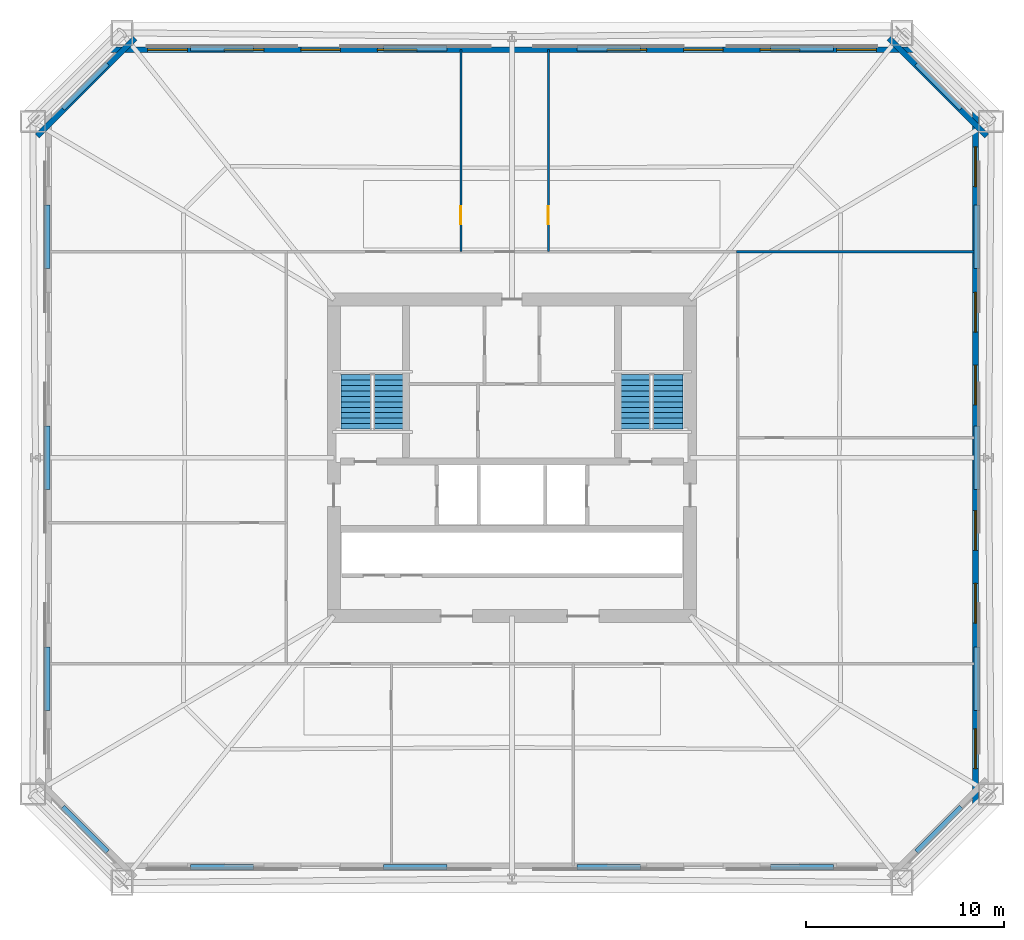
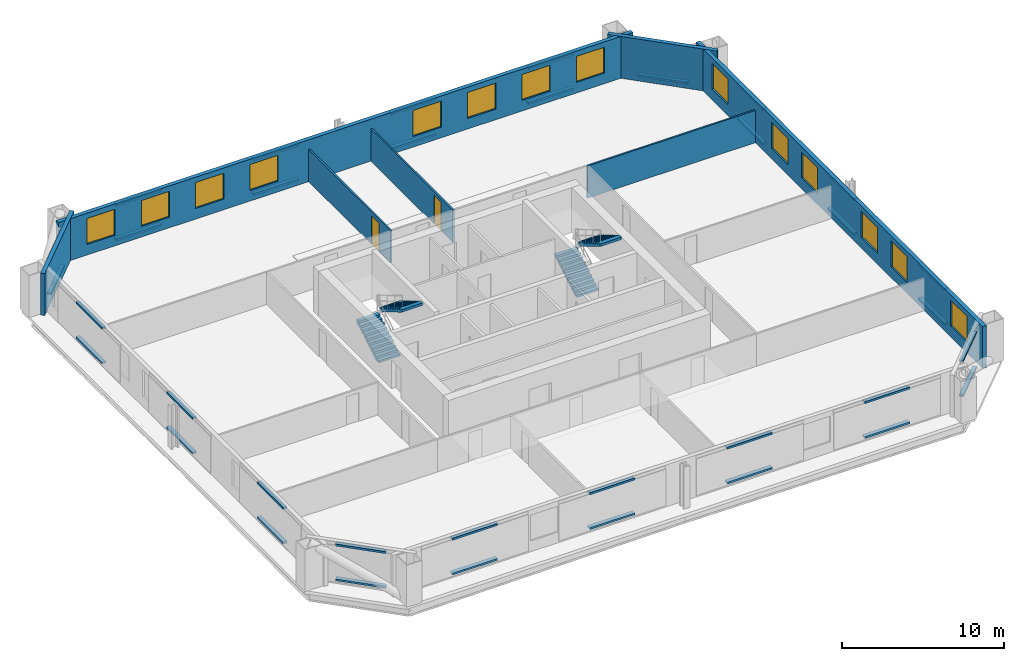
# One storey, part 4 of 7: 35 discrete accessories, 14 windows, 7 walls, 4 stair flights, 2 doors, 16 openings, 2 elements without a shape of their own.
"""IFC4 building model written with IfcOpenShell, lengths in metres."""

from ifc_helpers import new_model, si_unit, direction, frame, frame_2d, origin, origin_2d, place, context, subcontext, project, spatial, polyline, rectangle, outline, extrude, material, layer, layer_set, type_object, element, fill, aggregate, save


model = new_model("IFC4")

# Units and contexts
model_context = context("Model", 3, precision=1e-05, world=origin(), true_north=direction((0.0, 1.0)))
body_context = subcontext(model_context, "Body", "Model", "MODEL_VIEW")
ifc_project = project(units=[si_unit("LENGTHUNIT", "METRE"), si_unit("AREAUNIT", "SQUARE_METRE"), si_unit("VOLUMEUNIT", "CUBIC_METRE"), si_unit("PLANEANGLEUNIT", "RADIAN"), si_unit("MASSUNIT", "GRAM", prefix="KILO")], contexts=[model_context])

# Site, building, storey
site_placement = place(None, origin())
site = spatial("IfcSite", under=ifc_project, at=site_placement, CompositionType="ELEMENT")
building_placement = place(site_placement, origin())
building = spatial("IfcBuilding", under=site, at=building_placement, Name="Caelvoria Tower", CompositionType="ELEMENT")
storey_placement = place(building_placement, frame((0.0, 0.0, 31.60009765625)))
storey = spatial("IfcBuildingStorey", under=building, at=storey_placement, Name="L07", CompositionType="ELEMENT", Elevation=31.60009765625)

# Wall, openings, windows
ifc_material_1 = material(Name="Precast Concrete C40/50 with Bronze Cladding", Category="concrete")
ifc_layer_1 = layer(ifc_material_1, 0.280029296875, Name="Precast Concrete C40/50 with Bronze Cladding")
ifc_layer_set_1 = layer_set([ifc_layer_1], Name="Exterior Precast Concrete C40/50 Bronze-Clad Facade Wall 280 - Precast Concrete C40/50 with Bronze Cladding")
wall_type_1 = type_object("IfcWallType", Name="Exterior Precast Concrete C40/50 Bronze-Clad Facade Wall 280", PredefinedType="STANDARD", material=ifc_layer_set_1)
wall_1_placement = place(storey_placement, frame((69.419921875, 14.360107421875, 0.0), z_axis=(0.0, 0.0, 1.0), x_axis=(0.0, 1.0, 0.0)))
wall_1 = element("IfcWall", 1, at=wall_1_placement, inside=storey, type_object=wall_type_1, Name="Exterior Facade Wall L07-E2", PredefinedType="STANDARD", context=body_context, shape_type="SweptSolid", body=[
    extrude(rectangle(XDim=35.27978515625, YDim=0.280029296875, at=frame_2d((17.639892578125, 0.0))), origin(), (0.0, 0.0, 1.0), 3.14990234375),
])
opening_1_placement = place(wall_1_placement, frame((1.937744140625, 0.0, 0.800048828125)))
opening_1 = element("IfcOpeningElement", 2, at=opening_1_placement, cuts=wall_1, Name="Opening WN-01", PredefinedType="OPENING", context=body_context, shape_type="SweptSolid", body=[
    extrude(rectangle(XDim=2.0, YDim=1.949951171875, at=frame_2d((1.0, 0.97509765625))), frame((0.0, 0.14990234375, 0.0), z_axis=(0.0, -1.0, 0.0), x_axis=(1.0, 0.0, 0.0)), (0.0, 0.0, 1.0), 0.300048828125),
])
opening_2_placement = place(wall_1_placement, frame((9.288818359375, 0.0, 0.800048828125)))
opening_2 = element("IfcOpeningElement", 3, at=opening_2_placement, cuts=wall_1, Name="Opening WN-01", PredefinedType="OPENING", context=body_context, shape_type="SweptSolid", body=[
    extrude(rectangle(XDim=2.0, YDim=1.949951171875, at=frame_2d((1.0, 0.97509765625))), frame((0.0, 0.14990234375, 0.0), z_axis=(0.0, -1.0, 0.0), x_axis=(1.0, 0.0, 0.0)), (0.0, 0.0, 1.0), 0.300048828125),
])
opening_3_placement = place(wall_1_placement, frame((12.96435546875, 0.0, 0.800048828125)))
opening_3 = element("IfcOpeningElement", 4, at=opening_3_placement, cuts=wall_1, Name="Opening WN-01", PredefinedType="OPENING", context=body_context, shape_type="SweptSolid", body=[
    extrude(rectangle(XDim=2.0, YDim=1.949951171875, at=frame_2d((1.0, 0.97509765625))), frame((0.0, 0.14990234375, 0.0), z_axis=(0.0, -1.0, 0.0), x_axis=(1.0, 0.0, 0.0)), (0.0, 0.0, 1.0), 0.300048828125),
])
opening_4_placement = place(wall_1_placement, frame((20.315673828125, 0.0, 0.800048828125)))
opening_4 = element("IfcOpeningElement", 5, at=opening_4_placement, cuts=wall_1, Name="Opening WN-01", PredefinedType="OPENING", context=body_context, shape_type="SweptSolid", body=[
    extrude(rectangle(XDim=2.0, YDim=1.949951171875, at=frame_2d((1.0, 0.97509765625))), frame((0.0, 0.14990234375, 0.0), z_axis=(0.0, -1.0, 0.0), x_axis=(1.0, 0.0, 0.0)), (0.0, 0.0, 1.0), 0.300048828125),
])
opening_5_placement = place(wall_1_placement, frame((23.9912109375, 0.0, 0.800048828125)))
opening_5 = element("IfcOpeningElement", 6, at=opening_5_placement, cuts=wall_1, Name="Opening WN-01", PredefinedType="OPENING", context=body_context, shape_type="SweptSolid", body=[
    extrude(rectangle(XDim=2.0, YDim=1.949951171875, at=frame_2d((1.0, 0.97509765625))), frame((0.0, 0.14990234375, 0.0), z_axis=(0.0, -1.0, 0.0), x_axis=(1.0, 0.0, 0.0)), (0.0, 0.0, 1.0), 0.300048828125),
])
opening_6_placement = place(wall_1_placement, frame((31.34228515625, 0.0, 0.800048828125)))
opening_6 = element("IfcOpeningElement", 7, at=opening_6_placement, cuts=wall_1, Name="Opening WN-01", PredefinedType="OPENING", context=body_context, shape_type="SweptSolid", body=[
    extrude(rectangle(XDim=2.0, YDim=1.949951171875, at=frame_2d((1.0, 0.97509765625))), frame((0.0, 0.14990234375, 0.0), z_axis=(0.0, -1.0, 0.0), x_axis=(1.0, 0.0, 0.0)), (0.0, 0.0, 1.0), 0.300048828125),
])
ifc_material_2 = material(Name="Low-E Tinted Glass in Bronze Aluminium Frame", Category="aluminium")
window_type = type_object("IfcWindowType", Name="Tower Office Vision Window 2000x1950", PartitioningType="SINGLE_PANEL", PredefinedType="WINDOW", material=ifc_material_2)
window_1_placement = place(opening_1_placement, origin())
window_1 = element("IfcWindow", 8, at=window_1_placement, inside=storey, type_object=window_type, Name="Facade Window L07-E2-00", OverallHeight=1.949951171875, OverallWidth=2.0, PartitioningType="SINGLE_PANEL", PredefinedType="WINDOW", context=body_context, shape_type="SweptSolid", body=[
    extrude(rectangle(XDim=2.0, YDim=1.949951171875, at=frame_2d((1.0, 0.97509765625))), frame((0.0, 0.030029296875, 0.0), z_axis=(0.0, -1.0, 0.0), x_axis=(1.0, 0.0, 0.0)), (0.0, 0.0, 1.0), 0.06005859375),
])
fill(opening_1, window_1)
window_2_placement = place(opening_2_placement, origin())
window_2 = element("IfcWindow", 9, at=window_2_placement, inside=storey, type_object=window_type, Name="Facade Window L07-E2-02", OverallHeight=1.949951171875, OverallWidth=2.0, PartitioningType="SINGLE_PANEL", PredefinedType="WINDOW", context=body_context, shape_type="SweptSolid", body=[
    extrude(rectangle(XDim=2.0, YDim=1.949951171875, at=frame_2d((1.0, 0.97509765625))), frame((0.0, 0.030029296875, 0.0), z_axis=(0.0, -1.0, 0.0), x_axis=(1.0, 0.0, 0.0)), (0.0, 0.0, 1.0), 0.06005859375),
])
fill(opening_2, window_2)
window_3_placement = place(opening_3_placement, origin())
window_3 = element("IfcWindow", 10, at=window_3_placement, inside=storey, type_object=window_type, Name="Facade Window L07-E2-03", OverallHeight=1.949951171875, OverallWidth=2.0, PartitioningType="SINGLE_PANEL", PredefinedType="WINDOW", context=body_context, shape_type="SweptSolid", body=[
    extrude(rectangle(XDim=2.0, YDim=1.949951171875, at=frame_2d((1.0, 0.97509765625))), frame((0.0, 0.030029296875, 0.0), z_axis=(0.0, -1.0, 0.0), x_axis=(1.0, 0.0, 0.0)), (0.0, 0.0, 1.0), 0.06005859375),
])
fill(opening_3, window_3)
window_4_placement = place(opening_4_placement, origin())
window_4 = element("IfcWindow", 11, at=window_4_placement, inside=storey, type_object=window_type, Name="Facade Window L07-E2-05", OverallHeight=1.949951171875, OverallWidth=2.0, PartitioningType="SINGLE_PANEL", PredefinedType="WINDOW", context=body_context, shape_type="SweptSolid", body=[
    extrude(rectangle(XDim=2.0, YDim=1.949951171875, at=frame_2d((1.0, 0.97509765625))), frame((0.0, 0.030029296875, 0.0), z_axis=(0.0, -1.0, 0.0), x_axis=(1.0, 0.0, 0.0)), (0.0, 0.0, 1.0), 0.06005859375),
])
fill(opening_4, window_4)
window_5_placement = place(opening_5_placement, origin())
window_5 = element("IfcWindow", 12, at=window_5_placement, inside=storey, type_object=window_type, Name="Facade Window L07-E2-06", OverallHeight=1.949951171875, OverallWidth=2.0, PartitioningType="SINGLE_PANEL", PredefinedType="WINDOW", context=body_context, shape_type="SweptSolid", body=[
    extrude(rectangle(XDim=2.0, YDim=1.949951171875, at=frame_2d((1.0, 0.97509765625))), frame((0.0, 0.030029296875, 0.0), z_axis=(0.0, -1.0, 0.0), x_axis=(1.0, 0.0, 0.0)), (0.0, 0.0, 1.0), 0.06005859375),
])
fill(opening_5, window_5)
window_6_placement = place(opening_6_placement, origin())
window_6 = element("IfcWindow", 13, at=window_6_placement, inside=storey, type_object=window_type, Name="Facade Window L07-E2-08", OverallHeight=1.949951171875, OverallWidth=2.0, PartitioningType="SINGLE_PANEL", PredefinedType="WINDOW", context=body_context, shape_type="SweptSolid", body=[
    extrude(rectangle(XDim=2.0, YDim=1.949951171875, at=frame_2d((1.0, 0.97509765625))), frame((0.0, 0.030029296875, 0.0), z_axis=(0.0, -1.0, 0.0), x_axis=(1.0, 0.0, 0.0)), (0.0, 0.0, 1.0), 0.06005859375),
])
fill(opening_6, window_6)

# Wall
wall_2_placement = place(storey_placement, frame((69.993896484375, 48.25439453125, 0.0), z_axis=(0.0, 0.0, 1.0), x_axis=(-0.707106781187, 0.707106781187, 0.0)))
element("IfcWall", 14, at=wall_2_placement, inside=storey, type_object=wall_type_1, Name="Exterior Facade Wall L07-E3", PredefinedType="STANDARD", context=body_context, shape_type="SweptSolid", body=[
    extrude(rectangle(XDim=6.9853515625, YDim=0.280029296875, at=frame_2d((3.49267578125, 0.0))), origin(), (0.0, 0.0, 1.0), 3.14990234375),
])

# Wall, openings, windows
wall_3_placement = place(storey_placement, frame((66.43994140625, 52.6201171875, 0.0), z_axis=(0.0, 0.0, 1.0), x_axis=(-1.0, 0.0, 0.0)))
wall_3 = element("IfcWall", 15, at=wall_3_placement, inside=storey, type_object=wall_type_1, Name="Exterior Facade Wall L07-E4", PredefinedType="STANDARD", context=body_context, shape_type="SweptSolid", body=[
    extrude(rectangle(XDim=40.8798828125, YDim=0.280029296875, at=frame_2d((20.43994140625, 0.0))), origin(), (0.0, 0.0, 1.0), 3.14990234375),
])
opening_7_placement = place(wall_3_placement, frame((2.033935546875, 0.0, 0.800048828125)))
opening_7 = element("IfcOpeningElement", 16, at=opening_7_placement, cuts=wall_3, Name="Opening WN-01", PredefinedType="OPENING", context=body_context, shape_type="SweptSolid", body=[
    extrude(rectangle(XDim=2.0, YDim=1.949951171875, at=frame_2d((1.0, 0.97509765625))), frame((0.0, 0.14990234375, 0.0), z_axis=(0.0, -1.0, 0.0), x_axis=(1.0, 0.0, 0.0)), (0.0, 0.0, 1.0), 0.300048828125),
])
opening_8_placement = place(wall_3_placement, frame((5.902099609375, 0.0, 0.800048828125)))
opening_8 = element("IfcOpeningElement", 17, at=opening_8_placement, cuts=wall_3, Name="Opening WN-01", PredefinedType="OPENING", context=body_context, shape_type="SweptSolid", body=[
    extrude(rectangle(XDim=2.0, YDim=1.949951171875, at=frame_2d((1.0, 0.97509765625))), frame((0.0, 0.14990234375, 0.0), z_axis=(0.0, -1.0, 0.0), x_axis=(1.0, 0.0, 0.0)), (0.0, 0.0, 1.0), 0.300048828125),
])
opening_9_placement = place(wall_3_placement, frame((9.77001953125, 0.0, 0.800048828125)))
opening_9 = element("IfcOpeningElement", 18, at=opening_9_placement, cuts=wall_3, Name="Opening WN-01", PredefinedType="OPENING", context=body_context, shape_type="SweptSolid", body=[
    extrude(rectangle(XDim=2.0, YDim=1.949951171875, at=frame_2d((1.0, 0.97509765625))), frame((0.0, 0.14990234375, 0.0), z_axis=(0.0, -1.0, 0.0), x_axis=(1.0, 0.0, 0.0)), (0.0, 0.0, 1.0), 0.300048828125),
])
opening_10_placement = place(wall_3_placement, frame((13.637939453125, 0.0, 0.800048828125)))
opening_10 = element("IfcOpeningElement", 19, at=opening_10_placement, cuts=wall_3, Name="Opening WN-01", PredefinedType="OPENING", context=body_context, shape_type="SweptSolid", body=[
    extrude(rectangle(XDim=2.0, YDim=1.949951171875, at=frame_2d((1.0, 0.97509765625))), frame((0.0, 0.14990234375, 0.0), z_axis=(0.0, -1.0, 0.0), x_axis=(1.0, 0.0, 0.0)), (0.0, 0.0, 1.0), 0.300048828125),
])
opening_11_placement = place(wall_3_placement, frame((25.241943359375, 0.0, 0.800048828125)))
opening_11 = element("IfcOpeningElement", 20, at=opening_11_placement, cuts=wall_3, Name="Opening WN-01", PredefinedType="OPENING", context=body_context, shape_type="SweptSolid", body=[
    extrude(rectangle(XDim=2.0, YDim=1.949951171875, at=frame_2d((1.0, 0.97509765625))), frame((0.0, 0.14990234375, 0.0), z_axis=(0.0, -1.0, 0.0), x_axis=(1.0, 0.0, 0.0)), (0.0, 0.0, 1.0), 0.300048828125),
])
opening_12_placement = place(wall_3_placement, frame((29.110107421875, 0.0, 0.800048828125)))
opening_12 = element("IfcOpeningElement", 21, at=opening_12_placement, cuts=wall_3, Name="Opening WN-01", PredefinedType="OPENING", context=body_context, shape_type="SweptSolid", body=[
    extrude(rectangle(XDim=2.0, YDim=1.949951171875, at=frame_2d((1.0, 0.97509765625))), frame((0.0, 0.14990234375, 0.0), z_axis=(0.0, -1.0, 0.0), x_axis=(1.0, 0.0, 0.0)), (0.0, 0.0, 1.0), 0.300048828125),
])
opening_13_placement = place(wall_3_placement, frame((32.97802734375, 0.0, 0.800048828125)))
opening_13 = element("IfcOpeningElement", 22, at=opening_13_placement, cuts=wall_3, Name="Opening WN-01", PredefinedType="OPENING", context=body_context, shape_type="SweptSolid", body=[
    extrude(rectangle(XDim=2.0, YDim=1.949951171875, at=frame_2d((1.0, 0.97509765625))), frame((0.0, 0.14990234375, 0.0), z_axis=(0.0, -1.0, 0.0), x_axis=(1.0, 0.0, 0.0)), (0.0, 0.0, 1.0), 0.300048828125),
])
opening_14_placement = place(wall_3_placement, frame((36.845947265625, 0.0, 0.800048828125)))
opening_14 = element("IfcOpeningElement", 23, at=opening_14_placement, cuts=wall_3, Name="Opening WN-01", PredefinedType="OPENING", context=body_context, shape_type="SweptSolid", body=[
    extrude(rectangle(XDim=2.0, YDim=1.949951171875, at=frame_2d((1.0, 0.97509765625))), frame((0.0, 0.14990234375, 0.0), z_axis=(0.0, -1.0, 0.0), x_axis=(1.0, 0.0, 0.0)), (0.0, 0.0, 1.0), 0.300048828125),
])
window_7_placement = place(opening_7_placement, origin())
window_7 = element("IfcWindow", 24, at=window_7_placement, inside=storey, type_object=window_type, Name="Facade Window L07-E4-00", OverallHeight=1.949951171875, OverallWidth=2.0, PartitioningType="SINGLE_PANEL", PredefinedType="WINDOW", context=body_context, shape_type="SweptSolid", body=[
    extrude(rectangle(XDim=2.0, YDim=1.949951171875, at=frame_2d((1.0, 0.97509765625))), frame((0.0, 0.030029296875, 0.0), z_axis=(0.0, -1.0, 0.0), x_axis=(1.0, 0.0, 0.0)), (0.0, 0.0, 1.0), 0.06005859375),
])
fill(opening_7, window_7)
window_8_placement = place(opening_8_placement, origin())
window_8 = element("IfcWindow", 25, at=window_8_placement, inside=storey, type_object=window_type, Name="Facade Window L07-E4-01", OverallHeight=1.949951171875, OverallWidth=2.0, PartitioningType="SINGLE_PANEL", PredefinedType="WINDOW", context=body_context, shape_type="SweptSolid", body=[
    extrude(rectangle(XDim=2.0, YDim=1.949951171875, at=frame_2d((1.0, 0.97509765625))), frame((0.0, 0.030029296875, 0.0), z_axis=(0.0, -1.0, 0.0), x_axis=(1.0, 0.0, 0.0)), (0.0, 0.0, 1.0), 0.06005859375),
])
fill(opening_8, window_8)
window_9_placement = place(opening_9_placement, origin())
window_9 = element("IfcWindow", 26, at=window_9_placement, inside=storey, type_object=window_type, Name="Facade Window L07-E4-02", OverallHeight=1.949951171875, OverallWidth=2.0, PartitioningType="SINGLE_PANEL", PredefinedType="WINDOW", context=body_context, shape_type="SweptSolid", body=[
    extrude(rectangle(XDim=2.0, YDim=1.949951171875, at=frame_2d((1.0, 0.97509765625))), frame((0.0, 0.030029296875, 0.0), z_axis=(0.0, -1.0, 0.0), x_axis=(1.0, 0.0, 0.0)), (0.0, 0.0, 1.0), 0.06005859375),
])
fill(opening_9, window_9)
window_10_placement = place(opening_10_placement, origin())
window_10 = element("IfcWindow", 27, at=window_10_placement, inside=storey, type_object=window_type, Name="Facade Window L07-E4-03", OverallHeight=1.949951171875, OverallWidth=2.0, PartitioningType="SINGLE_PANEL", PredefinedType="WINDOW", context=body_context, shape_type="SweptSolid", body=[
    extrude(rectangle(XDim=2.0, YDim=1.949951171875, at=frame_2d((1.0, 0.97509765625))), frame((0.0, 0.030029296875, 0.0), z_axis=(0.0, -1.0, 0.0), x_axis=(1.0, 0.0, 0.0)), (0.0, 0.0, 1.0), 0.06005859375),
])
fill(opening_10, window_10)
window_11_placement = place(opening_11_placement, origin())
window_11 = element("IfcWindow", 28, at=window_11_placement, inside=storey, type_object=window_type, Name="Facade Window L07-E4-06", OverallHeight=1.949951171875, OverallWidth=2.0, PartitioningType="SINGLE_PANEL", PredefinedType="WINDOW", context=body_context, shape_type="SweptSolid", body=[
    extrude(rectangle(XDim=2.0, YDim=1.949951171875, at=frame_2d((1.0, 0.97509765625))), frame((0.0, 0.030029296875, 0.0), z_axis=(0.0, -1.0, 0.0), x_axis=(1.0, 0.0, 0.0)), (0.0, 0.0, 1.0), 0.06005859375),
])
fill(opening_11, window_11)
window_12_placement = place(opening_12_placement, origin())
window_12 = element("IfcWindow", 29, at=window_12_placement, inside=storey, type_object=window_type, Name="Facade Window L07-E4-07", OverallHeight=1.949951171875, OverallWidth=2.0, PartitioningType="SINGLE_PANEL", PredefinedType="WINDOW", context=body_context, shape_type="SweptSolid", body=[
    extrude(rectangle(XDim=2.0, YDim=1.949951171875, at=frame_2d((1.0, 0.97509765625))), frame((0.0, 0.030029296875, 0.0), z_axis=(0.0, -1.0, 0.0), x_axis=(1.0, 0.0, 0.0)), (0.0, 0.0, 1.0), 0.06005859375),
])
fill(opening_12, window_12)
window_13_placement = place(opening_13_placement, origin())
window_13 = element("IfcWindow", 30, at=window_13_placement, inside=storey, type_object=window_type, Name="Facade Window L07-E4-08", OverallHeight=1.949951171875, OverallWidth=2.0, PartitioningType="SINGLE_PANEL", PredefinedType="WINDOW", context=body_context, shape_type="SweptSolid", body=[
    extrude(rectangle(XDim=2.0, YDim=1.949951171875, at=frame_2d((1.0, 0.97509765625))), frame((0.0, 0.030029296875, 0.0), z_axis=(0.0, -1.0, 0.0), x_axis=(1.0, 0.0, 0.0)), (0.0, 0.0, 1.0), 0.06005859375),
])
fill(opening_13, window_13)
window_14_placement = place(opening_14_placement, origin())
window_14 = element("IfcWindow", 31, at=window_14_placement, inside=storey, type_object=window_type, Name="Facade Window L07-E4-09", OverallHeight=1.949951171875, OverallWidth=2.0, PartitioningType="SINGLE_PANEL", PredefinedType="WINDOW", context=body_context, shape_type="SweptSolid", body=[
    extrude(rectangle(XDim=2.0, YDim=1.949951171875, at=frame_2d((1.0, 0.97509765625))), frame((0.0, 0.030029296875, 0.0), z_axis=(0.0, -1.0, 0.0), x_axis=(1.0, 0.0, 0.0)), (0.0, 0.0, 1.0), 0.06005859375),
])
fill(opening_14, window_14)

# Wall
wall_4_placement = place(storey_placement, frame((26.945556640625, 53.19384765625, 0.0), z_axis=(0.0, 0.0, 1.0), x_axis=(-0.707106781187, -0.707106781187, 0.0)))
element("IfcWall", 32, at=wall_4_placement, inside=storey, type_object=wall_type_1, Name="Exterior Facade Wall L07-E5", PredefinedType="STANDARD", context=body_context, shape_type="SweptSolid", body=[
    extrude(rectangle(XDim=6.9853515625, YDim=0.280029296875, at=frame_2d((3.49267578125, 0.0))), origin(), (0.0, 0.0, 1.0), 3.14990234375),
])

# Wall, opening, door
ifc_material_3 = material(Name="Acoustic Gypsum Board on Light-Gauge Stud", Category="gypsum")
ifc_layer_2 = layer(ifc_material_3, 0.1201171875, Name="Acoustic Gypsum Board on Light-Gauge Stud")
ifc_layer_set_2 = layer_set([ifc_layer_2], Name="Tenant Suite Acoustic Partition Wall 120 - Acoustic Gypsum Board on Light-Gauge Stud")
wall_type_2 = type_object("IfcWallType", Name="Tenant Suite Acoustic Partition Wall 120", PredefinedType="PARTITIONING", material=ifc_layer_set_2)
wall_5_placement = place(storey_placement, frame((43.422119140625, 42.409912109375, 0.0), z_axis=(0.0, 0.0, 1.0), x_axis=(0.0, 1.0, 0.0)))
wall_5 = element("IfcWall", 33, at=wall_5_placement, inside=storey, type_object=wall_type_2, Name="Interior Partition IW-L07-ND-00-0", PredefinedType="PARTITIONING", context=body_context, shape_type="SweptSolid", body=[
    extrude(rectangle(XDim=10.210205078125, YDim=0.1201171875, at=frame_2d((5.10498046875, 0.0))), origin(), (0.0, 0.0, 1.0), 2.429931640625),
])
opening_15_placement = place(wall_5_placement, frame((1.39990234375, 0.0, 0.0)))
opening_15 = element("IfcOpeningElement", 34, at=opening_15_placement, cuts=wall_5, Name="Opening ID-06", PredefinedType="OPENING", context=body_context, shape_type="SweptSolid", body=[
    extrude(rectangle(XDim=0.89990234375, YDim=2.14990234375, at=frame_2d((0.449951171875, 1.074951171875))), frame((0.0, 0.070068359375, 0.0), z_axis=(0.0, -1.0, 0.0), x_axis=(1.0, 0.0, 0.0)), (0.0, 0.0, 1.0), 0.14013671875),
])
ifc_material_4 = material(Name="Engineered Andean Oak Veneer Door", Category="wood")
door_type = type_object("IfcDoorType", Name="Interior Timber Door 900x2150", OperationType="NOTDEFINED", PredefinedType="DOOR", material=ifc_material_4)
door_1_placement = place(opening_15_placement, origin())
door_1 = element("IfcDoor", 35, at=door_1_placement, inside=storey, type_object=door_type, Name="Interior Door DR-L07-NM-00-0", OperationType="SINGLE_SWING_RIGHT", OverallHeight=2.14990234375, OverallWidth=0.89990234375, PredefinedType="DOOR", context=body_context, shape_type="SweptSolid", body=[
    extrude(rectangle(XDim=0.89990234375, YDim=2.14990234375, at=frame_2d((0.449951171875, 1.074951171875))), frame((0.0, 0.02490234375, 0.0), z_axis=(0.0, -1.0, 0.0), x_axis=(1.0, 0.0, 0.0)), (0.0, 0.0, 1.0), 0.050048828125),
])
fill(opening_15, door_1)

wall_6_placement = place(storey_placement, frame((47.84375, 42.409912109375, 0.0), z_axis=(0.0, 0.0, 1.0), x_axis=(0.0, 1.0, 0.0)))
wall_6 = element("IfcWall", 36, at=wall_6_placement, inside=storey, type_object=wall_type_2, Name="Interior Partition IW-L07-ND-01-0", PredefinedType="PARTITIONING", context=body_context, shape_type="SweptSolid", body=[
    extrude(rectangle(XDim=10.210205078125, YDim=0.1201171875, at=frame_2d((5.10498046875, 0.0))), origin(), (0.0, 0.0, 1.0), 2.429931640625),
])
opening_16_placement = place(wall_6_placement, frame((1.39990234375, 0.0, 0.0)))
opening_16 = element("IfcOpeningElement", 37, at=opening_16_placement, cuts=wall_6, Name="Opening ID-06", PredefinedType="OPENING", context=body_context, shape_type="SweptSolid", body=[
    extrude(rectangle(XDim=0.89990234375, YDim=2.14990234375, at=frame_2d((0.449951171875, 1.074951171875))), frame((0.0, 0.070068359375, 0.0), z_axis=(0.0, -1.0, 0.0), x_axis=(1.0, 0.0, 0.0)), (0.0, 0.0, 1.0), 0.14013671875),
])
door_2_placement = place(opening_16_placement, origin())
door_2 = element("IfcDoor", 38, at=door_2_placement, inside=storey, type_object=door_type, Name="Interior Door DR-L07-NM-01-0", OperationType="SINGLE_SWING_LEFT", OverallHeight=2.14990234375, OverallWidth=0.89990234375, PredefinedType="DOOR", context=body_context, shape_type="SweptSolid", body=[
    extrude(rectangle(XDim=0.89990234375, YDim=2.14990234375, at=frame_2d((0.449951171875, 1.074951171875))), frame((0.0, 0.02490234375, 0.0), z_axis=(0.0, -1.0, 0.0), x_axis=(1.0, 0.0, 0.0)), (0.0, 0.0, 1.0), 0.050048828125),
])
fill(opening_16, door_2)

# Wall
wall_7_placement = place(storey_placement, frame((57.35009765625, 42.409912109375, 0.0), z_axis=(0.0, 0.0, 1.0), x_axis=(1.0, 0.0, 0.0)))
element("IfcWall", 39, at=wall_7_placement, inside=storey, type_object=wall_type_2, Name="Interior Partition IW-L07-BNE-0", PredefinedType="PARTITIONING", context=body_context, shape_type="SweptSolid", body=[
    extrude(rectangle(XDim=12.06982421875, YDim=0.1201171875, at=frame_2d((6.034912109375, 0.0))), origin(), (0.0, 0.0, 1.0), 2.429931640625),
])

# Stair, stair flights
ifc_material_5 = material(Name="Concrete C40/50", Category="concrete")
stair_type = type_object("IfcStairType", Name="Core Smokeproof Dogleg Stair Concrete C40/50", PredefinedType="HALF_TURN_STAIR", material=ifc_material_5)
stair_1_placement = place(storey_placement, origin())
stair_1 = element("IfcStair", 40, at=stair_1_placement, inside=storey, type_object=stair_type, Name="ST-01 Smokeproof Exit Stair L07", PredefinedType="HALF_TURN_STAIR")
ifc_material_6 = material(Name="Precast Concrete C40/50", Category="concrete")
stair_flight_type = type_object("IfcStairFlightType", Name="Precast Concrete C40/50 Stair Flight 1480", PredefinedType="STRAIGHT", material=ifc_material_6)
stair_flight_1_placement = place(storey_placement, frame((38.1298828125, 33.449951171875, 0.0), z_axis=(0.0, 0.0, 1.0), x_axis=(0.0, 1.0, 0.0)))
stair_flight_1 = element("IfcStairFlight", 41, at=stair_flight_1_placement, type_object=stair_flight_type, Name="ST-01 flight 1", NumberOfRisers=11, NumberOfTreads=10, PredefinedType="STRAIGHT", RiserHeight=0.1636, TreadLength=0.275, context=body_context, shape_type="SweptSolid", body=[
    extrude(outline(polyline([(0.0, 0.0), (0.0, 0.16357421875), (0.27490234375, 0.16357421875), (0.27490234375, 0.3271484375), (0.550048828125, 0.3271484375), (0.550048828125, 0.49072265625), (0.824951171875, 0.49072265625), (0.824951171875, 0.654296875), (1.10009765625, 0.654296875), (1.10009765625, 0.818115234375), (1.375, 0.818115234375), (1.375, 0.981689453125), (1.64990234375, 0.981689453125), (1.64990234375, 1.145263671875), (1.925048828125, 1.145263671875), (1.925048828125, 1.308837890625), (2.199951171875, 1.308837890625), (2.199951171875, 1.472412109375), (2.47509765625, 1.472412109375), (2.47509765625, 1.635986328125), (2.75, 1.635986328125), (2.75, 1.799560546875), (2.75, 1.449951171875), (0.312744140625, 0.0), (0.0, 0.0)])), frame((0.0, 0.77001953125, 0.0), z_axis=(0.0, -1.0, 0.0), x_axis=(1.0, 0.0, 0.0)), (0.0, 0.0, 1.0), 1.5400390625),
])
stair_flight_2_placement = place(storey_placement, frame((39.77001953125, 36.199951171875, 1.7998046875), z_axis=(0.0, 0.0, 1.0), x_axis=(0.0, -1.0, 0.0)))
stair_flight_2 = element("IfcStairFlight", 42, at=stair_flight_2_placement, type_object=stair_flight_type, Name="ST-01 flight 2", NumberOfRisers=11, NumberOfTreads=10, PredefinedType="STRAIGHT", RiserHeight=0.1636, TreadLength=0.275, context=body_context, shape_type="SweptSolid", body=[
    extrude(outline(polyline([(0.0, 0.0), (0.0, 0.16357421875), (0.27490234375, 0.16357421875), (0.27490234375, 0.3271484375), (0.550048828125, 0.3271484375), (0.550048828125, 0.49072265625), (0.824951171875, 0.49072265625), (0.824951171875, 0.654296875), (1.10009765625, 0.654296875), (1.10009765625, 0.818115234375), (1.375, 0.818115234375), (1.375, 0.981689453125), (1.64990234375, 0.981689453125), (1.64990234375, 1.145263671875), (1.925048828125, 1.145263671875), (1.925048828125, 1.308837890625), (2.199951171875, 1.308837890625), (2.199951171875, 1.472412109375), (2.47509765625, 1.472412109375), (2.47509765625, 1.635986328125), (2.75, 1.635986328125), (2.75, 1.799560546875), (2.75, 1.449951171875), (0.312744140625, 0.0), (0.0, 0.0)])), frame((0.0, 0.77001953125, 0.0), z_axis=(0.0, -1.0, 0.0), x_axis=(1.0, 0.0, 0.0)), (0.0, 0.0, 1.0), 1.5400390625),
])
aggregate(stair_1, [stair_flight_1, stair_flight_2])

stair_2_placement = place(storey_placement, origin())
stair_2 = element("IfcStair", 43, at=stair_2_placement, inside=storey, type_object=stair_type, Name="ST-02 Smokeproof Exit Stair L07", PredefinedType="HALF_TURN_STAIR")
stair_flight_3_placement = place(storey_placement, frame((52.22998046875, 33.449951171875, 0.0), z_axis=(0.0, 0.0, 1.0), x_axis=(0.0, 1.0, 0.0)))
stair_flight_3 = element("IfcStairFlight", 44, at=stair_flight_3_placement, type_object=stair_flight_type, Name="ST-02 flight 1", NumberOfRisers=11, NumberOfTreads=10, PredefinedType="STRAIGHT", RiserHeight=0.1636, TreadLength=0.275, context=body_context, shape_type="SweptSolid", body=[
    extrude(outline(polyline([(0.0, 0.0), (0.0, 0.16357421875), (0.27490234375, 0.16357421875), (0.27490234375, 0.3271484375), (0.550048828125, 0.3271484375), (0.550048828125, 0.49072265625), (0.824951171875, 0.49072265625), (0.824951171875, 0.654296875), (1.10009765625, 0.654296875), (1.10009765625, 0.818115234375), (1.375, 0.818115234375), (1.375, 0.981689453125), (1.64990234375, 0.981689453125), (1.64990234375, 1.145263671875), (1.925048828125, 1.145263671875), (1.925048828125, 1.308837890625), (2.199951171875, 1.308837890625), (2.199951171875, 1.472412109375), (2.47509765625, 1.472412109375), (2.47509765625, 1.635986328125), (2.75, 1.635986328125), (2.75, 1.799560546875), (2.75, 1.449951171875), (0.312744140625, 0.0), (0.0, 0.0)])), frame((0.0, 0.77001953125, 0.0), z_axis=(0.0, -1.0, 0.0), x_axis=(1.0, 0.0, 0.0)), (0.0, 0.0, 1.0), 1.5400390625),
])
stair_flight_4_placement = place(storey_placement, frame((53.8701171875, 36.199951171875, 1.7998046875), z_axis=(0.0, 0.0, 1.0), x_axis=(0.0, -1.0, 0.0)))
stair_flight_4 = element("IfcStairFlight", 45, at=stair_flight_4_placement, type_object=stair_flight_type, Name="ST-02 flight 2", NumberOfRisers=11, NumberOfTreads=10, PredefinedType="STRAIGHT", RiserHeight=0.1636, TreadLength=0.275, context=body_context, shape_type="SweptSolid", body=[
    extrude(outline(polyline([(0.0, 0.0), (0.0, 0.16357421875), (0.27490234375, 0.16357421875), (0.27490234375, 0.3271484375), (0.550048828125, 0.3271484375), (0.550048828125, 0.49072265625), (0.824951171875, 0.49072265625), (0.824951171875, 0.654296875), (1.10009765625, 0.654296875), (1.10009765625, 0.818115234375), (1.375, 0.818115234375), (1.375, 0.981689453125), (1.64990234375, 0.981689453125), (1.64990234375, 1.145263671875), (1.925048828125, 1.145263671875), (1.925048828125, 1.308837890625), (2.199951171875, 1.308837890625), (2.199951171875, 1.472412109375), (2.47509765625, 1.472412109375), (2.47509765625, 1.635986328125), (2.75, 1.635986328125), (2.75, 1.799560546875), (2.75, 1.449951171875), (0.312744140625, 0.0), (0.0, 0.0)])), frame((0.0, 0.77001953125, 0.0), z_axis=(0.0, -1.0, 0.0), x_axis=(1.0, 0.0, 0.0)), (0.0, 0.0, 1.0), 1.5400390625),
])
aggregate(stair_2, [stair_flight_3, stair_flight_4])

# Discrete accessories
ifc_material_7 = material(Name="Anodised Bronze Stainless Bracket", Category="bronze")
discrete_accessory_type = type_object("IfcDiscreteAccessoryType", Name="Solar Screen Outrigger Support Bracket", PredefinedType="BRACKET", material=ifc_material_7)
for number, where, z_axis, x_axis, name in (
    (46, (31.344970703125, 11.302978515625, 0.23974609375), (0.0, 0.0, 1.0), (1.0, 0.0, 0.0), "Solar Screen Bracket L07-E0-00"),
    (47, (31.344970703125, 11.302978515625, 2.85009765625), (0.0, 0.0, 1.0), (1.0, 0.0, 0.0), "Upper Screen Band Bracket L07-E0-00"),
    (48, (41.114990234375, 11.302978515625, 0.23974609375), (0.0, 0.0, 1.0), (1.0, 0.0, 0.0), "Solar Screen Bracket L07-E0-01"),
    (49, (41.114990234375, 11.302978515625, 2.85009765625), (0.0, 0.0, 1.0), (1.0, 0.0, 0.0), "Upper Screen Band Bracket L07-E0-01"),
    (50, (50.885009765625, 11.302978515625, 0.23974609375), (0.0, 0.0, 1.0), (1.0, 0.0, 0.0), "Solar Screen Bracket L07-E0-02"),
    (51, (50.885009765625, 11.302978515625, 2.85009765625), (0.0, 0.0, 1.0), (1.0, 0.0, 0.0), "Upper Screen Band Bracket L07-E0-02"),
    (52, (60.655029296875, 11.302978515625, 0.23974609375), (0.0, 0.0, 1.0), (1.0, 0.0, 0.0), "Solar Screen Bracket L07-E0-03"),
    (53, (60.655029296875, 11.302978515625, 2.85009765625), (0.0, 0.0, 1.0), (1.0, 0.0, 0.0), "Upper Screen Band Bracket L07-E0-03"),
    (54, (67.57861328125, 13.221435546875, 0.23974609375), (0.0, 0.0, 1.0), (0.707106781187, 0.707106781187, 0.0), "Solar Screen Bracket L07-E1-00"),
    (55, (67.57861328125, 13.221435546875, 2.85009765625), (0.0, 0.0, 1.0), (0.707106781187, 0.707106781187, 0.0), "Upper Screen Band Bracket L07-E1-00"),
    (56, (69.4970703125, 20.840087890625, 0.23974609375), (0.0, 0.0, 1.0), (0.0, 1.0, 0.0), "Solar Screen Bracket L07-E2-00"),
    (57, (69.4970703125, 20.840087890625, 2.85009765625), (0.0, 0.0, 1.0), (0.0, 1.0, 0.0), "Upper Screen Band Bracket L07-E2-00"),
    (58, (69.4970703125, 32.0, 0.23974609375), (0.0, 0.0, 1.0), (0.0, 1.0, 0.0), "Solar Screen Bracket L07-E2-01"),
    (59, (69.4970703125, 32.0, 2.85009765625), (0.0, 0.0, 1.0), (0.0, 1.0, 0.0), "Upper Screen Band Bracket L07-E2-01"),
    (60, (69.4970703125, 43.159912109375, 0.23974609375), (0.0, 0.0, 1.0), (0.0, 1.0, 0.0), "Solar Screen Bracket L07-E2-02"),
    (61, (69.4970703125, 43.159912109375, 2.85009765625), (0.0, 0.0, 1.0), (0.0, 1.0, 0.0), "Upper Screen Band Bracket L07-E2-02"),
    (62, (67.57861328125, 50.778564453125, 0.23974609375), (0.0, 0.0, 1.0), (-0.707106781187, 0.707106781187, 0.0), "Solar Screen Bracket L07-E3-00"),
    (63, (60.655029296875, 52.697021484375, 0.23974609375), (0.0, 0.0, 1.0), (-1.0, 0.0, 0.0), "Solar Screen Bracket L07-E4-00"),
    (64, (60.655029296875, 52.697021484375, 2.85009765625), (0.0, 0.0, 1.0), (-1.0, 0.0, 0.0), "Upper Screen Band Bracket L07-E4-00"),
    (65, (50.885009765625, 52.697021484375, 0.23974609375), (0.0, 0.0, 1.0), (-1.0, 0.0, 0.0), "Solar Screen Bracket L07-E4-01"),
    (66, (50.885009765625, 52.697021484375, 2.85009765625), (0.0, 0.0, 1.0), (-1.0, 0.0, 0.0), "Upper Screen Band Bracket L07-E4-01"),
    (67, (41.114990234375, 52.697021484375, 0.23974609375), (0.0, 0.0, 1.0), (-1.0, 0.0, 0.0), "Solar Screen Bracket L07-E4-02"),
    (68, (41.114990234375, 52.697021484375, 2.85009765625), (0.0, 0.0, 1.0), (-1.0, 0.0, 0.0), "Upper Screen Band Bracket L07-E4-02"),
    (69, (31.344970703125, 52.697021484375, 0.23974609375), (0.0, 0.0, 1.0), (-1.0, 0.0, 0.0), "Solar Screen Bracket L07-E4-03"),
    (70, (31.344970703125, 52.697021484375, 2.85009765625), (0.0, 0.0, 1.0), (-1.0, 0.0, 0.0), "Upper Screen Band Bracket L07-E4-03"),
    (71, (24.42138671875, 50.778564453125, 0.23974609375), (0.0, 0.0, 1.0), (-0.707106781187, -0.707106781187, 0.0), "Solar Screen Bracket L07-E5-00"),
    (72, (24.42138671875, 50.778564453125, 2.85009765625), (0.0, 0.0, 1.0), (-0.707106781187, -0.707106781187, 0.0), "Upper Screen Band Bracket L07-E5-00"),
    (73, (22.5029296875, 43.159912109375, 0.23974609375), (0.0, 0.0, 1.0), (0.0, -1.0, 0.0), "Solar Screen Bracket L07-E6-00"),
    (74, (22.5029296875, 43.159912109375, 2.85009765625), (0.0, 0.0, 1.0), (0.0, -1.0, 0.0), "Upper Screen Band Bracket L07-E6-00"),
    (75, (22.5029296875, 32.0, 0.23974609375), (0.0, 0.0, 1.0), (0.0, -1.0, 0.0), "Solar Screen Bracket L07-E6-01"),
    (76, (22.5029296875, 32.0, 2.85009765625), (0.0, 0.0, 1.0), (0.0, -1.0, 0.0), "Upper Screen Band Bracket L07-E6-01"),
    (77, (22.5029296875, 20.840087890625, 0.23974609375), (0.0, 0.0, 1.0), (0.0, -1.0, 0.0), "Solar Screen Bracket L07-E6-02"),
    (78, (22.5029296875, 20.840087890625, 2.85009765625), (0.0, 0.0, 1.0), (0.0, -1.0, 0.0), "Upper Screen Band Bracket L07-E6-02"),
    (79, (24.42138671875, 13.221435546875, 0.23974609375), (0.0, 0.0, 1.0), (0.707106781187, -0.707106781187, 0.0), "Solar Screen Bracket L07-E7-00"),
    (80, (24.42138671875, 13.221435546875, 2.85009765625), (0.0, 0.0, 1.0), (0.707106781187, -0.707106781187, 0.0), "Upper Screen Band Bracket L07-E7-00"),
):
    element("IfcDiscreteAccessory", number, at=place(storey_placement, frame(where, z_axis=z_axis, x_axis=x_axis)), inside=storey, type_object=discrete_accessory_type, Name=name, PredefinedType="BRACKET", context=body_context, shape_type="SweptSolid", body=[
        extrude(rectangle(XDim=3.199951171875, YDim=0.280029296875, at=origin_2d()), origin(), (0.0, 0.0, 1.0), 0.159912109375),
    ])

save(model, "model.ifc")
